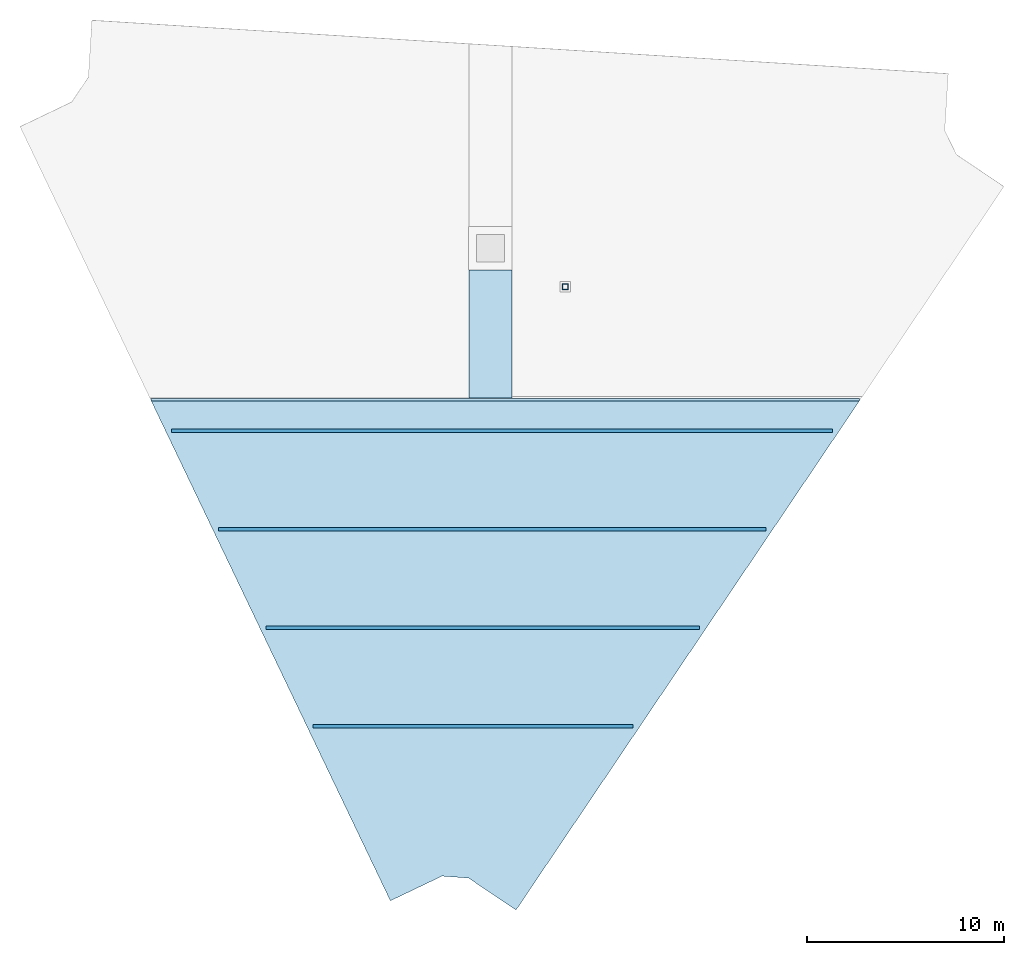
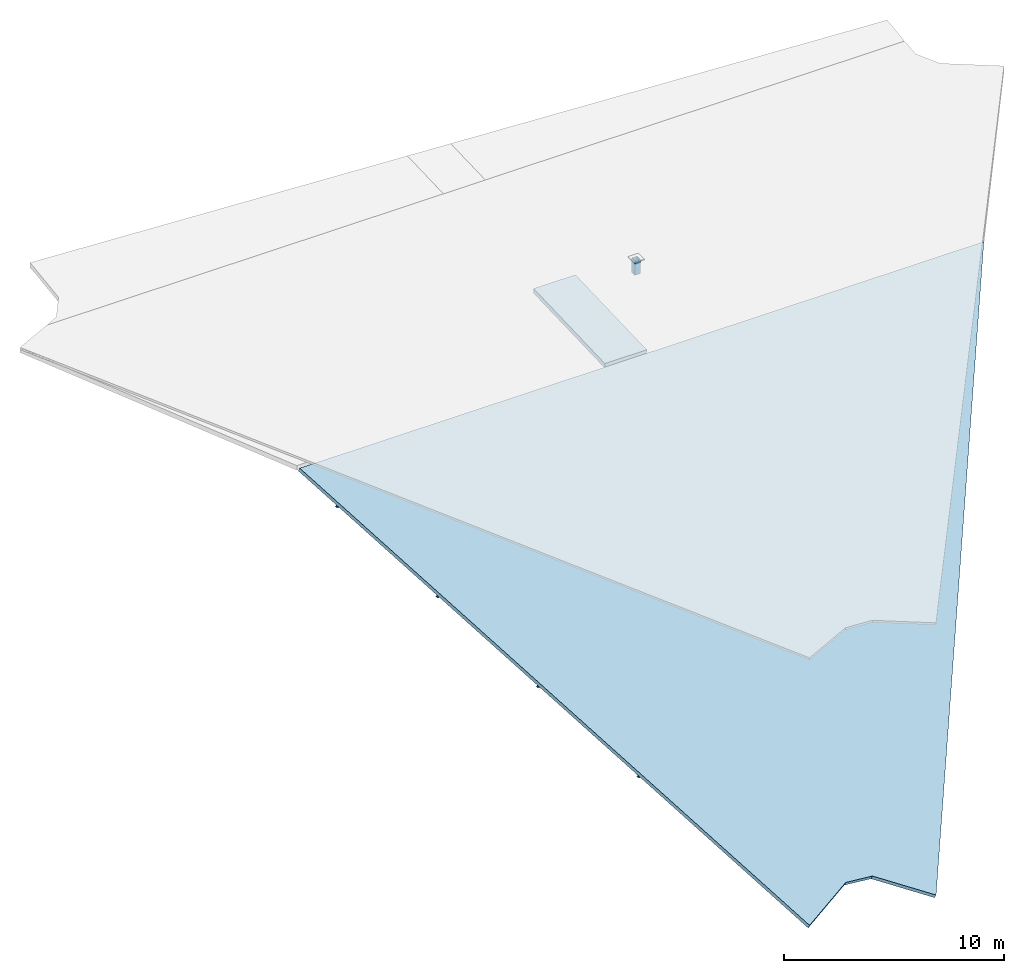
# One storey, part 1 of 3: 4 members, 2 slabs, 1 column.
"""IFC4 building model written with IfcOpenShell, lengths in metres."""

from ifc_helpers import new_model, si_unit, direction, frame, origin, origin_2d, place, context, subcontext, project, spatial, polyline, hollow_rectangle, i_section, outline, extrude, material, layer, layer_set, material_profile, profile_set, type_object, element, save


model = new_model("IFC4")

# Units and contexts
model_context = context("Model", 3, precision=1e-05, world=origin(), true_north=direction((0.0, 1.0)))
body_context = subcontext(model_context, "Body", "Model", "MODEL_VIEW")
ifc_project = project(units=[si_unit("LENGTHUNIT", "METRE"), si_unit("AREAUNIT", "SQUARE_METRE"), si_unit("VOLUMEUNIT", "CUBIC_METRE"), si_unit("PLANEANGLEUNIT", "RADIAN"), si_unit("MASSUNIT", "GRAM", prefix="KILO")], contexts=[model_context])

# Site, building, storey
site_placement = place(None, origin())
site = spatial("IfcSite", under=ifc_project, at=site_placement, CompositionType="ELEMENT")
building_placement = place(site_placement, origin())
building = spatial("IfcBuilding", under=site, at=building_placement, Name="Apsidion Concourse Tower", CompositionType="ELEMENT")
storey_placement = place(building_placement, frame((0.0, 0.0, 350.0)))
storey = spatial("IfcBuildingStorey", under=building, at=storey_placement, Name="Roof Level", CompositionType="ELEMENT", Elevation=350.0)

# Column
ifc_material_1 = material(Name="Structural steel ASTM A500 Grade C", Category="steel")
ifc_material_profile_1 = material_profile(ifc_material_1, hollow_rectangle(XDim=0.300048828125, YDim=0.300048828125, WallThickness=0.02001953125, at=origin_2d()), Name="HSS300X300X20")
ifc_profile_set_1 = profile_set([ifc_material_profile_1], Name="Structural steel ASTM A500 Grade C")
column_type = type_object("IfcColumnType", Name="COL-FINIAL-FM1", PredefinedType="COLUMN", material=ifc_profile_set_1)
column_placement = place(storey_placement, frame((3.800048828125, 4.050048828125, -0.798095703125), z_axis=(0.0, 0.0, 1.0), x_axis=(1.0, 0.0, 0.0)))
element("IfcColumn", 1, at=column_placement, inside=storey, type_object=column_type, Name="Crown Finial Mast Support Post FM1", PredefinedType="COLUMN", context=body_context, shape_type="SweptSolid", body=[
    extrude(hollow_rectangle(XDim=0.300048828125, YDim=0.300048828125, WallThickness=0.02001953125, at=origin_2d()), origin(), (0.0, 0.0, 1.0), 0.798095703125),
])

# Members
ifc_material_2 = material(Name="Structural steel ASTM A992 Grade 50", Category="steel")
ifc_material_profile_2 = material_profile(ifc_material_2, i_section(OverallWidth=0.177978515625, OverallDepth=0.406005859375, WebThickness=0.0078125, FlangeThickness=0.0126953125, at=origin_2d()), Name="W16X40")
ifc_profile_set_2 = profile_set([ifc_material_profile_2], Name="Structural steel ASTM A992 Grade 50")
member_type = type_object("IfcMemberType", Name="MB-PR-W16", PredefinedType="PURLIN", material=ifc_profile_set_2)
member_1_placement = place(storey_placement, frame((-9.015869140625, -18.263427734375, -10.61669921875), z_axis=(1.0, 0.0, 0.0), x_axis=(0.0, 1.0, 0.0)))
element("IfcMember", 2, at=member_1_placement, inside=storey, type_object=member_type, Name="Slanted Crown Roof Purlin PR-01", PredefinedType="PURLIN", context=body_context, shape_type="SweptSolid", body=[
    extrude(i_section(OverallWidth=0.177978515625, OverallDepth=0.406005859375, WebThickness=0.0078125, FlangeThickness=0.0126953125, at=origin_2d()), origin(), (0.0, 0.0, 1.0), 16.265869140625),
])
member_2_placement = place(storey_placement, frame((-11.408203125, -13.263427734375, -7.807373046875), z_axis=(1.0, 0.0, 0.0), x_axis=(0.0, 1.0, 0.0)))
element("IfcMember", 3, at=member_2_placement, inside=storey, type_object=member_type, Name="Slanted Crown Roof Purlin PR-02", PredefinedType="PURLIN", context=body_context, shape_type="SweptSolid", body=[
    extrude(i_section(OverallWidth=0.177978515625, OverallDepth=0.406005859375, WebThickness=0.0078125, FlangeThickness=0.0126953125, at=origin_2d()), origin(), (0.0, 0.0, 1.0), 22.03076171875),
])
member_3_placement = place(storey_placement, frame((-13.80029296875, -8.263427734375, -4.998046875), z_axis=(1.0, 0.0, 0.0), x_axis=(0.0, 1.0, 0.0)))
element("IfcMember", 4, at=member_3_placement, inside=storey, type_object=member_type, Name="Slanted Crown Roof Purlin PR-03", PredefinedType="PURLIN", context=body_context, shape_type="SweptSolid", body=[
    extrude(i_section(OverallWidth=0.177978515625, OverallDepth=0.406005859375, WebThickness=0.0078125, FlangeThickness=0.0126953125, at=origin_2d()), origin(), (0.0, 0.0, 1.0), 27.79541015625),
])
member_4_placement = place(storey_placement, frame((-16.192626953125, -3.263427734375, -2.188720703125), z_axis=(1.0, 0.0, 0.0), x_axis=(0.0, 1.0, 0.0)))
element("IfcMember", 5, at=member_4_placement, inside=storey, type_object=member_type, Name="Slanted Crown Roof Purlin PR-04", PredefinedType="PURLIN", context=body_context, shape_type="SweptSolid", body=[
    extrude(i_section(OverallWidth=0.177978515625, OverallDepth=0.406005859375, WebThickness=0.0078125, FlangeThickness=0.0126953125, at=origin_2d()), origin(), (0.0, 0.0, 1.0), 33.560302734375),
])

# Slabs
ifc_material_3 = material(Name="Concrete C50/60", Category="concrete")
ifc_layer = layer(ifc_material_3, 0.260009765625)
ifc_layer_set = layer_set([ifc_layer], Name="Concrete C50/60")
slab_type = type_object("IfcSlabType", Name="SL-CRWN-ROOF-260", PredefinedType="ROOF", material=ifc_layer_set)
slab_1_placement = place(storey_placement, frame((1.297119140625, -27.6015625, -15.3095703125), z_axis=(-3.57013e-06, -0.489849434893, 0.87180704925), x_axis=(-0.790885984003, 0.533515501216, 0.299767527042)))
element("IfcSlab", 6, at=slab_1_placement, inside=storey, type_object=slab_type, Name="Slanted-Cut Crown Roof Slab S", PredefinedType="ROOF", context=body_context, shape_type="SweptSolid", body=[
    extrude(outline(polyline([(0.0, 0.0), (3.045869563328719, -3.3306690738754696e-16), (4.182835971110569, 0.7355903038469229), (5.375557518826212, 3.477235708597246), (32.80687604891941, -12.12272638575418), (4.357378763015801, -34.13608241574131), (0.0, 0.0)])), origin(), (0.0, 0.0, -1.0), 0.260009765625),
])
slab_2_placement = place(storey_placement, frame((-1.10009765625, -1.60009765625, -0.699951171875), z_axis=(0.0, -0.035321995215, 0.999375983629), x_axis=(0.0, 0.999375983629, 0.035321995215)))
element("IfcSlab", 7, at=slab_2_placement, inside=storey, type_object=slab_type, Name="Slanted-Cut Crown Roof Slab NS", PredefinedType="ROOF", context=body_context, shape_type="SweptSolid", body=[
    extrude(outline(polyline([(0.0, 0.0), (6.504058639069942, 0.0), (6.504058639069942, -2.2001953125), (0.0, -2.2001953125), (0.0, 0.0)])), origin(), (0.0, 0.0, -1.0), 0.260009765625),
])

save(model, "model.ifc")
